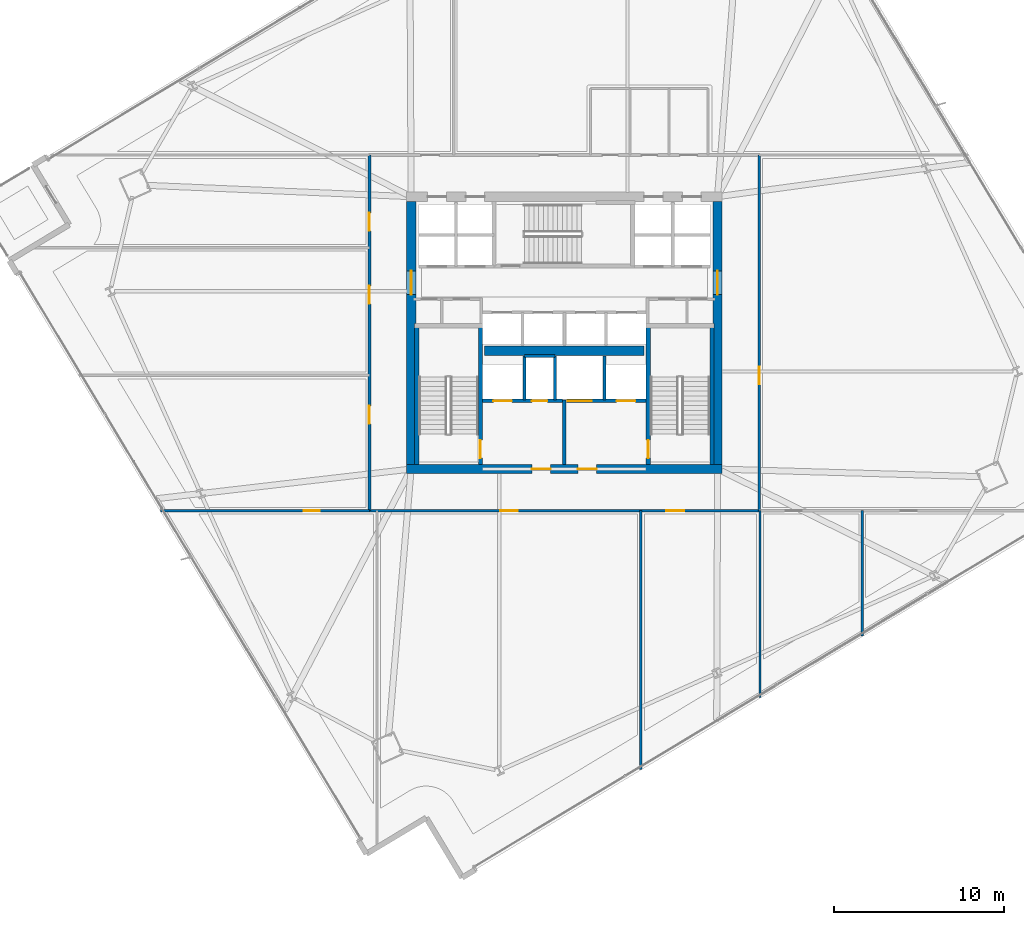
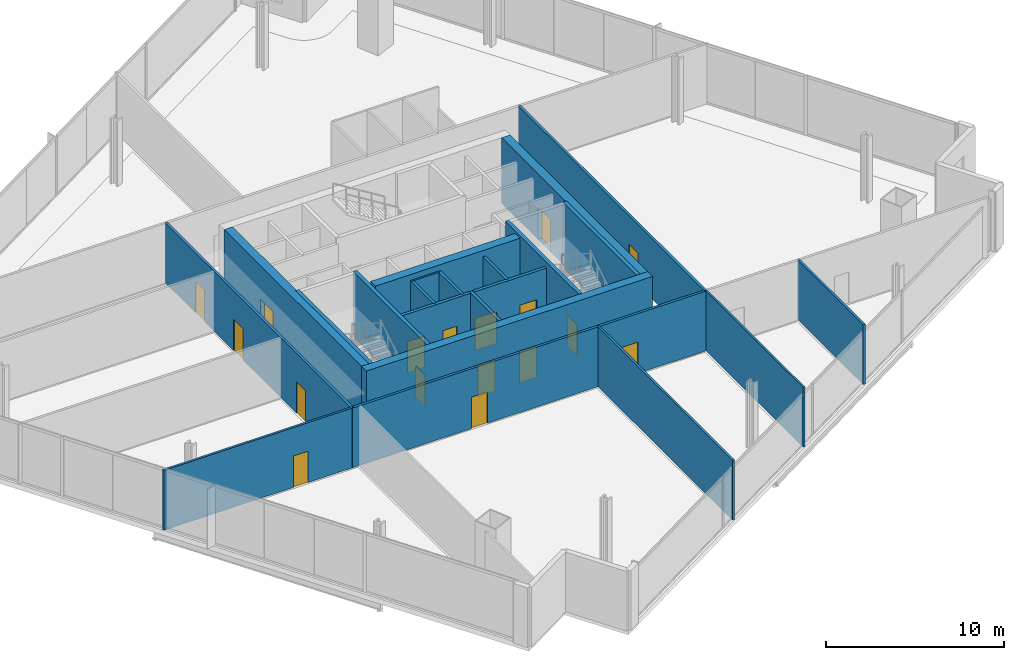
# One storey, part 23 of 30: 22 walls, 17 doors, 17 openings.
"""IFC4 building model written with IfcOpenShell, lengths in metres."""

from ifc_helpers import new_model, si_unit, direction, frame, frame_2d, origin, place, context, subcontext, project, spatial, rectangle, extrude, material, layer, layer_set, type_object, element, fill, save


model = new_model("IFC4")

# Units and contexts
model_context = context("Model", 3, precision=1e-05, world=origin(), true_north=direction((0.0, 1.0)))
body_context = subcontext(model_context, "Body", "Model", "MODEL_VIEW")
ifc_project = project(units=[si_unit("LENGTHUNIT", "METRE"), si_unit("AREAUNIT", "SQUARE_METRE"), si_unit("VOLUMEUNIT", "CUBIC_METRE"), si_unit("PLANEANGLEUNIT", "RADIAN"), si_unit("MASSUNIT", "GRAM", prefix="KILO")], contexts=[model_context])

# Site, building, storey
site_placement = place(None, origin())
site = spatial("IfcSite", under=ifc_project, at=site_placement, CompositionType="ELEMENT")
building_placement = place(site_placement, origin())
building = spatial("IfcBuilding", under=site, at=building_placement, Name="Haldenkirk Collegiate Tower", CompositionType="ELEMENT")
storey_placement = place(building_placement, frame((0.0, 0.0, 131.699951171875)))
storey = spatial("IfcBuildingStorey", under=building, at=storey_placement, Name="L32", CompositionType="ELEMENT", Elevation=131.699951171875)

# Wall, openings, doors
ifc_material_1 = material(Name="Concrete f'c 70 MPa", Category="concrete")
ifc_layer_1 = layer(ifc_material_1, 0.550048828125)
ifc_layer_set_1 = layer_set([ifc_layer_1], Name="Concrete f'c 70 MPa")
wall_type_1 = type_object("IfcWallType", Name="WL-CORE-550", PredefinedType="SHEAR", material=ifc_layer_set_1)
wall_1_placement = place(storey_placement, frame((26.72509765625, 18.0, 0.0), z_axis=(0.0, 0.0, 1.0), x_axis=(1.0, 0.0, 0.0)))
wall_1 = element("IfcWall", 1, at=wall_1_placement, inside=storey, type_object=wall_type_1, Name="L32 central core shear wall S", PredefinedType="SHEAR", context=body_context, shape_type="SweptSolid", body=[
    extrude(rectangle(XDim=18.5498046875, YDim=0.550048828125, at=frame_2d((9.27490234375, 0.0))), origin(), (0.0, 0.0, 1.0), 4.5),
])
opening_1_placement = place(wall_1_placement, frame((7.375, 0.0, 0.0)))
opening_1 = element("IfcOpeningElement", 2, at=opening_1_placement, cuts=wall_1, Name="Opening D-02", PredefinedType="OPENING", context=body_context, shape_type="SweptSolid", body=[
    extrude(rectangle(XDim=1.10009765625, YDim=2.14990234375, at=frame_2d((0.550048828125, 1.074951171875))), frame((0.0, 0.284912109375, 0.0), z_axis=(0.0, -1.0, 0.0), x_axis=(1.0, 0.0, 0.0)), (0.0, 0.0, 1.0), 0.570068359375),
])
opening_2_placement = place(wall_1_placement, frame((10.074951171875, 0.0, 0.0)))
opening_2 = element("IfcOpeningElement", 3, at=opening_2_placement, cuts=wall_1, Name="Opening D-02", PredefinedType="OPENING", context=body_context, shape_type="SweptSolid", body=[
    extrude(rectangle(XDim=1.10009765625, YDim=2.14990234375, at=frame_2d((0.550048828125, 1.074951171875))), frame((0.0, 0.284912109375, 0.0), z_axis=(0.0, -1.0, 0.0), x_axis=(1.0, 0.0, 0.0)), (0.0, 0.0, 1.0), 0.570068359375),
])
ifc_material_2 = material(Name="Galvanized fire-rated hollow steel door", Category="steel")
ifc_layer_2 = layer(ifc_material_2, 0.06005859375)
ifc_layer_set_2 = layer_set([ifc_layer_2], Name="Galvanized fire-rated hollow steel door")
door_type_1 = type_object("IfcDoorType", Name="DR-STAIR-FD90-1100", OperationType="NOTDEFINED", PredefinedType="DOOR", material=ifc_layer_set_2)
door_1_placement = place(opening_1_placement, origin())
door_1 = element("IfcDoor", 4, at=door_1_placement, inside=storey, type_object=door_type_1, Name="L32 Firefighting Lobby 1 door", OperationType="SINGLE_SWING_LEFT", OverallHeight=2.14990234375, OverallWidth=1.10009765625, PredefinedType="DOOR", context=body_context, shape_type="SweptSolid", body=[
    extrude(rectangle(XDim=1.10009765625, YDim=2.14990234375, at=frame_2d((0.550048828125, 1.074951171875))), frame((0.0, 0.02490234375, 0.0), z_axis=(0.0, -1.0, 0.0), x_axis=(1.0, 0.0, 0.0)), (0.0, 0.0, 1.0), 0.050048828125),
])
fill(opening_1, door_1)
door_2_placement = place(opening_2_placement, origin())
door_2 = element("IfcDoor", 5, at=door_2_placement, inside=storey, type_object=door_type_1, Name="L32 Firefighting Lobby 2 door", OperationType="SINGLE_SWING_RIGHT", OverallHeight=2.14990234375, OverallWidth=1.10009765625, PredefinedType="DOOR", context=body_context, shape_type="SweptSolid", body=[
    extrude(rectangle(XDim=1.10009765625, YDim=2.14990234375, at=frame_2d((0.550048828125, 1.074951171875))), frame((0.0, 0.02490234375, 0.0), z_axis=(0.0, -1.0, 0.0), x_axis=(1.0, 0.0, 0.0)), (0.0, 0.0, 1.0), 0.050048828125),
])
fill(opening_2, door_2)

# Wall, opening, door
wall_2_placement = place(storey_placement, frame((27.0, 18.27490234375, 0.0), z_axis=(0.0, 0.0, 1.0), x_axis=(0.0, 1.0, 0.0)))
wall_2 = element("IfcWall", 6, at=wall_2_placement, inside=storey, type_object=wall_type_1, Name="L32 central core shear wall W", PredefinedType="SHEAR", context=body_context, shape_type="SweptSolid", body=[
    extrude(rectangle(XDim=15.4501953125, YDim=0.550048828125, at=frame_2d((7.72509765625, 0.0))), origin(), (0.0, 0.0, 1.0), 4.5),
])
opening_3_placement = place(wall_2_placement, frame((9.965087890625, 0.0, 0.0)))
opening_3 = element("IfcOpeningElement", 7, at=opening_3_placement, cuts=wall_2, Name="Opening D-03", PredefinedType="OPENING", context=body_context, shape_type="SweptSolid", body=[
    extrude(rectangle(XDim=1.39990234375, YDim=2.199951171875, at=frame_2d((0.699951171875, 1.10009765625))), frame((0.0, 0.284912109375, 0.0), z_axis=(0.0, -1.0, 0.0), x_axis=(1.0, 0.0, 0.0)), (0.0, 0.0, 1.0), 0.570068359375),
])
ifc_layer_3 = layer(ifc_material_2, 0.06005859375)
ifc_layer_set_3 = layer_set([ifc_layer_3], Name="Galvanized fire-rated hollow steel door")
door_type_2 = type_object("IfcDoorType", Name="DR-LOBBY-FD90-1400", OperationType="NOTDEFINED", PredefinedType="DOOR", material=ifc_layer_set_3)
door_3_placement = place(opening_3_placement, origin())
door_3 = element("IfcDoor", 8, at=door_3_placement, inside=storey, type_object=door_type_2, Name="L32 west lift lobby portal", OperationType="DOUBLE_DOOR_SINGLE_SWING", OverallHeight=2.199951171875, OverallWidth=1.39990234375, PredefinedType="DOOR", context=body_context, shape_type="SweptSolid", body=[
    extrude(rectangle(XDim=1.39990234375, YDim=2.199951171875, at=frame_2d((0.699951171875, 1.10009765625))), frame((0.0, 0.02490234375, 0.0), z_axis=(0.0, -1.0, 0.0), x_axis=(1.0, 0.0, 0.0)), (0.0, 0.0, 1.0), 0.050048828125),
])
fill(opening_3, door_3)

wall_3_placement = place(storey_placement, frame((45.0, 18.27490234375, 0.0), z_axis=(0.0, 0.0, 1.0), x_axis=(0.0, 1.0, 0.0)))
wall_3 = element("IfcWall", 9, at=wall_3_placement, inside=storey, type_object=wall_type_1, Name="L32 central core shear wall E", PredefinedType="SHEAR", context=body_context, shape_type="SweptSolid", body=[
    extrude(rectangle(XDim=15.4501953125, YDim=0.550048828125, at=frame_2d((7.72509765625, 0.0))), origin(), (0.0, 0.0, 1.0), 4.5),
])
opening_4_placement = place(wall_3_placement, frame((9.965087890625, 0.0, 0.0)))
opening_4 = element("IfcOpeningElement", 10, at=opening_4_placement, cuts=wall_3, Name="Opening D-03", PredefinedType="OPENING", context=body_context, shape_type="SweptSolid", body=[
    extrude(rectangle(XDim=1.39990234375, YDim=2.199951171875, at=frame_2d((0.699951171875, 1.10009765625))), frame((0.0, 0.284912109375, 0.0), z_axis=(0.0, -1.0, 0.0), x_axis=(1.0, 0.0, 0.0)), (0.0, 0.0, 1.0), 0.570068359375),
])
door_4_placement = place(opening_4_placement, origin())
door_4 = element("IfcDoor", 11, at=door_4_placement, inside=storey, type_object=door_type_2, Name="L32 east lift lobby portal", OperationType="DOUBLE_DOOR_SINGLE_SWING", OverallHeight=2.199951171875, OverallWidth=1.39990234375, PredefinedType="DOOR", context=body_context, shape_type="SweptSolid", body=[
    extrude(rectangle(XDim=1.39990234375, YDim=2.199951171875, at=frame_2d((0.699951171875, 1.10009765625))), frame((0.0, 0.02490234375, 0.0), z_axis=(0.0, -1.0, 0.0), x_axis=(1.0, 0.0, 0.0)), (0.0, 0.0, 1.0), 0.050048828125),
])
fill(opening_4, door_4)

# Wall
wall_4_placement = place(storey_placement, frame((31.31005859375, 24.949951171875, 0.0), z_axis=(0.0, 0.0, 1.0), x_axis=(1.0, 0.0, 0.0)))
element("IfcWall", 12, at=wall_4_placement, inside=storey, type_object=wall_type_1, Name="L32 central core spine shear wall", PredefinedType="SHEAR", context=body_context, shape_type="SweptSolid", body=[
    extrude(rectangle(XDim=9.3798828125, YDim=0.550048828125, at=frame_2d((4.68994140625, 0.0))), origin(), (0.0, 0.0, 1.0), 4.5),
])

# Wall, openings, doors
ifc_material_3 = material(Name="Acoustic fire-rated gypsum partition", Category="concrete")
ifc_layer_4 = layer(ifc_material_3, 0.159912109375)
ifc_layer_set_4 = layer_set([ifc_layer_4], Name="Acoustic fire-rated gypsum partition")
wall_type_2 = type_object("IfcWallType", Name="WL-INT-CORR-160", PredefinedType="PARTITIONING", material=ifc_layer_set_4)
wall_5_placement = place(storey_placement, frame((24.5, 15.550048828125, 0.0), z_axis=(0.0, 0.0, 1.0), x_axis=(1.0, 0.0, 0.0)))
wall_5 = element("IfcWall", 13, at=wall_5_placement, inside=storey, type_object=wall_type_2, Name="L32 interior partition IW-L32-CS", PredefinedType="PARTITIONING", context=body_context, shape_type="SweptSolid", body=[
    extrude(rectangle(XDim=23.0, YDim=0.159912109375, at=frame_2d((11.5, 0.0))), origin(), (0.0, 0.0, 1.0), 4.10009765625),
])
opening_5_placement = place(wall_5_placement, frame((7.72509765625, 0.0, 0.0)))
opening_5 = element("IfcOpeningElement", 14, at=opening_5_placement, cuts=wall_5, Name="Opening D-09", PredefinedType="OPENING", context=body_context, shape_type="SweptSolid", body=[
    extrude(rectangle(XDim=1.050048828125, YDim=2.14990234375, at=frame_2d((0.52490234375, 1.074951171875))), frame((0.0, 0.08984375, 0.0), z_axis=(0.0, -1.0, 0.0), x_axis=(1.0, 0.0, 0.0)), (0.0, 0.0, 1.0), 0.179931640625),
])
opening_6_placement = place(wall_5_placement, frame((17.489013671875, 0.0, 0.0)))
opening_6 = element("IfcOpeningElement", 15, at=opening_6_placement, cuts=wall_5, Name="Opening D-09", PredefinedType="OPENING", context=body_context, shape_type="SweptSolid", body=[
    extrude(rectangle(XDim=1.050048828125, YDim=2.14990234375, at=frame_2d((0.52490234375, 1.074951171875))), frame((0.0, 0.08984375, 0.0), z_axis=(0.0, -1.0, 0.0), x_axis=(1.0, 0.0, 0.0)), (0.0, 0.0, 1.0), 0.179931640625),
])
ifc_material_4 = material(Name="Solid-core architectural oak fire door", Category="wood")
ifc_layer_5 = layer(ifc_material_4, 0.06005859375)
ifc_layer_set_5 = layer_set([ifc_layer_5], Name="Solid-core architectural oak fire door")
door_type_3 = type_object("IfcDoorType", Name="DR-INT-FD60-1050", OperationType="NOTDEFINED", PredefinedType="DOOR", material=ifc_layer_set_5)
door_5_placement = place(opening_5_placement, origin())
door_5 = element("IfcDoor", 16, at=door_5_placement, inside=storey, type_object=door_type_3, Name="L32 Research Office 2 door", OperationType="SINGLE_SWING_RIGHT", OverallHeight=2.14990234375, OverallWidth=1.050048828125, PredefinedType="DOOR", context=body_context, shape_type="SweptSolid", body=[
    extrude(rectangle(XDim=1.050048828125, YDim=2.14990234375, at=frame_2d((0.52490234375, 1.074951171875))), frame((0.0, 0.02490234375, 0.0), z_axis=(0.0, -1.0, 0.0), x_axis=(1.0, 0.0, 0.0)), (0.0, 0.0, 1.0), 0.050048828125),
])
fill(opening_5, door_5)
door_6_placement = place(opening_6_placement, origin())
door_6 = element("IfcDoor", 17, at=door_6_placement, inside=storey, type_object=door_type_3, Name="L32 Senior Fellow Office 3 door", OperationType="SINGLE_SWING_LEFT", OverallHeight=2.14990234375, OverallWidth=1.050048828125, PredefinedType="DOOR", context=body_context, shape_type="SweptSolid", body=[
    extrude(rectangle(XDim=1.050048828125, YDim=2.14990234375, at=frame_2d((0.52490234375, 1.074951171875))), frame((0.0, 0.02490234375, 0.0), z_axis=(0.0, -1.0, 0.0), x_axis=(1.0, 0.0, 0.0)), (0.0, 0.0, 1.0), 0.050048828125),
])
fill(opening_6, door_6)

wall_6_placement = place(storey_placement, frame((24.550048828125, 15.550048828125, 0.0), z_axis=(0.0, 0.0, 1.0), x_axis=(0.0, 1.0, 0.0)))
wall_6 = element("IfcWall", 18, at=wall_6_placement, inside=storey, type_object=wall_type_2, Name="L32 interior partition IW-L32-CW", PredefinedType="PARTITIONING", context=body_context, shape_type="SweptSolid", body=[
    extrude(rectangle(XDim=20.89990234375, YDim=0.159912109375, at=frame_2d((10.449951171875, 0.0))), origin(), (0.0, 0.0, 1.0), 4.10009765625),
])
opening_7_placement = place(wall_6_placement, frame((5.10693359375, 0.0, 0.0)))
opening_7 = element("IfcOpeningElement", 19, at=opening_7_placement, cuts=wall_6, Name="Opening D-09", PredefinedType="OPENING", context=body_context, shape_type="SweptSolid", body=[
    extrude(rectangle(XDim=1.050048828125, YDim=2.14990234375, at=frame_2d((0.52490234375, 1.074951171875))), frame((0.0, 0.08984375, 0.0), z_axis=(0.0, -1.0, 0.0), x_axis=(1.0, 0.0, 0.0)), (0.0, 0.0, 1.0), 0.179931640625),
])
opening_8_placement = place(wall_6_placement, frame((12.155029296875, 0.0, 0.0)))
opening_8 = element("IfcOpeningElement", 20, at=opening_8_placement, cuts=wall_6, Name="Opening D-09", PredefinedType="OPENING", context=body_context, shape_type="SweptSolid", body=[
    extrude(rectangle(XDim=1.050048828125, YDim=2.14990234375, at=frame_2d((0.52490234375, 1.074951171875))), frame((0.0, 0.08984375, 0.0), z_axis=(0.0, -1.0, 0.0), x_axis=(1.0, 0.0, 0.0)), (0.0, 0.0, 1.0), 0.179931640625),
])
opening_9_placement = place(wall_6_placement, frame((16.443115234375, 0.0, 0.0)))
opening_9 = element("IfcOpeningElement", 21, at=opening_9_placement, cuts=wall_6, Name="Opening D-09", PredefinedType="OPENING", context=body_context, shape_type="SweptSolid", body=[
    extrude(rectangle(XDim=1.050048828125, YDim=2.14990234375, at=frame_2d((0.52490234375, 1.074951171875))), frame((0.0, 0.08984375, 0.0), z_axis=(0.0, -1.0, 0.0), x_axis=(1.0, 0.0, 0.0)), (0.0, 0.0, 1.0), 0.179931640625),
])
door_7_placement = place(opening_7_placement, origin())
door_7 = element("IfcDoor", 22, at=door_7_placement, inside=storey, type_object=door_type_3, Name="L32 Research Office 8 door", OperationType="SINGLE_SWING_RIGHT", OverallHeight=2.14990234375, OverallWidth=1.050048828125, PredefinedType="DOOR", context=body_context, shape_type="SweptSolid", body=[
    extrude(rectangle(XDim=1.050048828125, YDim=2.14990234375, at=frame_2d((0.52490234375, 1.074951171875))), frame((0.0, 0.02490234375, 0.0), z_axis=(0.0, -1.0, 0.0), x_axis=(1.0, 0.0, 0.0)), (0.0, 0.0, 1.0), 0.050048828125),
])
fill(opening_7, door_7)
door_8_placement = place(opening_8_placement, origin())
door_8 = element("IfcDoor", 23, at=door_8_placement, inside=storey, type_object=door_type_3, Name="L32 Senior Fellow Office 9 door", OperationType="SINGLE_SWING_LEFT", OverallHeight=2.14990234375, OverallWidth=1.050048828125, PredefinedType="DOOR", context=body_context, shape_type="SweptSolid", body=[
    extrude(rectangle(XDim=1.050048828125, YDim=2.14990234375, at=frame_2d((0.52490234375, 1.074951171875))), frame((0.0, 0.02490234375, 0.0), z_axis=(0.0, -1.0, 0.0), x_axis=(1.0, 0.0, 0.0)), (0.0, 0.0, 1.0), 0.050048828125),
])
fill(opening_8, door_8)
door_9_placement = place(opening_9_placement, origin())
door_9 = element("IfcDoor", 24, at=door_9_placement, inside=storey, type_object=door_type_3, Name="L32 Graduate Seminar Room 10 door", OperationType="SINGLE_SWING_RIGHT", OverallHeight=2.14990234375, OverallWidth=1.050048828125, PredefinedType="DOOR", context=body_context, shape_type="SweptSolid", body=[
    extrude(rectangle(XDim=1.050048828125, YDim=2.14990234375, at=frame_2d((0.52490234375, 1.074951171875))), frame((0.0, 0.02490234375, 0.0), z_axis=(0.0, -1.0, 0.0), x_axis=(1.0, 0.0, 0.0)), (0.0, 0.0, 1.0), 0.050048828125),
])
fill(opening_9, door_9)

# Wall, opening, door
wall_7_placement = place(storey_placement, frame((47.449951171875, 15.550048828125, 0.0), z_axis=(0.0, 0.0, 1.0), x_axis=(0.0, 1.0, 0.0)))
wall_7 = element("IfcWall", 25, at=wall_7_placement, inside=storey, type_object=wall_type_2, Name="L32 interior partition IW-L32-CE", PredefinedType="PARTITIONING", context=body_context, shape_type="SweptSolid", body=[
    extrude(rectangle(XDim=20.89990234375, YDim=0.159912109375, at=frame_2d((10.449951171875, 0.0))), origin(), (0.0, 0.0, 1.0), 4.10009765625),
])
opening_10_placement = place(wall_7_placement, frame((7.4169921875, 0.0, 0.0)))
opening_10 = element("IfcOpeningElement", 26, at=opening_10_placement, cuts=wall_7, Name="Opening D-09", PredefinedType="OPENING", context=body_context, shape_type="SweptSolid", body=[
    extrude(rectangle(XDim=1.050048828125, YDim=2.14990234375, at=frame_2d((0.52490234375, 1.074951171875))), frame((0.0, 0.08984375, 0.0), z_axis=(0.0, -1.0, 0.0), x_axis=(1.0, 0.0, 0.0)), (0.0, 0.0, 1.0), 0.179931640625),
])
door_10_placement = place(opening_10_placement, origin())
door_10 = element("IfcDoor", 27, at=door_10_placement, inside=storey, type_object=door_type_3, Name="L32 Colloquium Conference Room 11 door", OperationType="SINGLE_SWING_LEFT", OverallHeight=2.14990234375, OverallWidth=1.050048828125, PredefinedType="DOOR", context=body_context, shape_type="SweptSolid", body=[
    extrude(rectangle(XDim=1.050048828125, YDim=2.14990234375, at=frame_2d((0.52490234375, 1.074951171875))), frame((0.0, 0.02490234375, 0.0), z_axis=(0.0, -1.0, 0.0), x_axis=(1.0, 0.0, 0.0)), (0.0, 0.0, 1.0), 0.050048828125),
])
fill(opening_10, door_10)

ifc_layer_6 = layer(ifc_material_3, 0.139892578125)
ifc_layer_set_6 = layer_set([ifc_layer_6], Name="Acoustic fire-rated gypsum partition")
wall_type_3 = type_object("IfcWallType", Name="WL-INT-DIV-140", PredefinedType="PARTITIONING", material=ifc_layer_set_6)
wall_8_placement = place(storey_placement, frame((12.281494140625, 15.550048828125, 0.0), z_axis=(0.0, 0.0, 1.0), x_axis=(1.0, 0.0, 0.0)))
wall_8 = element("IfcWall", 28, at=wall_8_placement, inside=storey, type_object=wall_type_3, Name="L32 interior partition IW-L32-BWS", PredefinedType="PARTITIONING", context=body_context, shape_type="SweptSolid", body=[
    extrude(rectangle(XDim=12.2685546875, YDim=0.139892578125, at=frame_2d((6.13427734375, 0.0))), origin(), (0.0, 0.0, 1.0), 4.10009765625),
])
opening_11_placement = place(wall_8_placement, frame((8.41259765625, 0.0, 0.0)))
opening_11 = element("IfcOpeningElement", 29, at=opening_11_placement, cuts=wall_8, Name="Opening D-12", PredefinedType="OPENING", context=body_context, shape_type="SweptSolid", body=[
    extrude(rectangle(XDim=0.949951171875, YDim=2.14990234375, at=frame_2d((0.47509765625, 1.074951171875))), frame((0.0, 0.079833984375, 0.0), z_axis=(0.0, -1.0, 0.0), x_axis=(1.0, 0.0, 0.0)), (0.0, 0.0, 1.0), 0.159912109375),
])
ifc_layer_7 = layer(ifc_material_4, 0.06005859375)
ifc_layer_set_7 = layer_set([ifc_layer_7], Name="Solid-core architectural oak fire door")
door_type_4 = type_object("IfcDoorType", Name="DR-INT-STD-950", OperationType="NOTDEFINED", PredefinedType="DOOR", material=ifc_layer_set_7)
door_11_placement = place(opening_11_placement, origin())
door_11 = element("IfcDoor", 30, at=door_11_placement, inside=storey, type_object=door_type_4, Name="L32 Collegiate Commons Assembly Hall door", OperationType="SINGLE_SWING_LEFT", OverallHeight=2.14990234375, OverallWidth=0.949951171875, PredefinedType="DOOR", context=body_context, shape_type="SweptSolid", body=[
    extrude(rectangle(XDim=0.949951171875, YDim=2.14990234375, at=frame_2d((0.47509765625, 1.074951171875))), frame((0.0, 0.02490234375, 0.0), z_axis=(0.0, -1.0, 0.0), x_axis=(1.0, 0.0, 0.0)), (0.0, 0.0, 1.0), 0.050048828125),
])
fill(opening_11, door_11)

# Walls
wall_9_placement = place(storey_placement, frame((40.5, 0.36279296875, 0.0), z_axis=(0.0, 0.0, 1.0), x_axis=(0.0, 1.0, 0.0)))
element("IfcWall", 31, at=wall_9_placement, inside=storey, type_object=wall_type_3, Name="L32 interior partition IW-L32-RS2", PredefinedType="PARTITIONING", context=body_context, shape_type="SweptSolid", body=[
    extrude(rectangle(XDim=15.187255859375, YDim=0.139892578125, at=frame_2d((7.59375, 0.0))), origin(), (0.0, 0.0, 1.0), 4.10009765625),
])
wall_10_placement = place(storey_placement, frame((53.5, 8.189208984375, 0.0), z_axis=(0.0, 0.0, 1.0), x_axis=(0.0, 1.0, 0.0)))
element("IfcWall", 32, at=wall_10_placement, inside=storey, type_object=wall_type_3, Name="L32 interior partition IW-L32-RS4", PredefinedType="PARTITIONING", context=body_context, shape_type="SweptSolid", body=[
    extrude(rectangle(XDim=7.36083984375, YDim=0.139892578125, at=frame_2d((3.680419921875, 0.0))), origin(), (0.0, 0.0, 1.0), 4.10009765625),
])
ifc_material_5 = material(Name="Fire-rated gypsum shaftboard assembly", Category="concrete")
ifc_layer_8 = layer(ifc_material_5, 0.179931640625)
ifc_layer_set_8 = layer_set([ifc_layer_8], Name="Fire-rated gypsum shaftboard assembly")
wall_type_4 = type_object("IfcWallType", Name="WL-INT-SHAFT-180", PredefinedType="PARTITIONING", material=ifc_layer_set_8)
for number, where, z_axis, x_axis, name in (
    (33, (33.64990234375, 22.050048828125, 0.0), (0.0, 0.0, 1.0), (0.0, 1.0, 0.0), "L32 interior partition IW-L32-FL1E"),
    (34, (35.449951171875, 22.050048828125, 0.0), (0.0, 0.0, 1.0), (0.0, 1.0, 0.0), "L32 interior partition IW-L32-GL1W"),
):
    element("IfcWall", number, at=place(storey_placement, frame(where, z_axis=z_axis, x_axis=x_axis)), inside=storey, type_object=wall_type_4, Name=name, PredefinedType="PARTITIONING", context=body_context, shape_type="SweptSolid", body=[
        extrude(rectangle(XDim=2.599853515625, YDim=0.179931640625, at=frame_2d((1.2998046875, 0.0))), origin(), (0.0, 0.0, 1.0), 4.10009765625),
    ])
wall_11_placement = place(storey_placement, frame((33.64990234375, 24.64990234375, 0.0), z_axis=(0.0, 0.0, 1.0), x_axis=(1.0, 0.0, 0.0)))
element("IfcWall", 35, at=wall_11_placement, inside=storey, type_object=wall_type_4, Name="L32 interior partition IW-L32-RSRN", PredefinedType="PARTITIONING", context=body_context, shape_type="SweptSolid", body=[
    extrude(rectangle(XDim=1.800048828125, YDim=0.179931640625, at=frame_2d((0.89990234375, 0.0))), origin(), (0.0, 0.0, 1.0), 4.10009765625),
])
wall_12_placement = place(storey_placement, frame((38.35009765625, 22.050048828125, 0.0), z_axis=(0.0, 0.0, 1.0), x_axis=(0.0, 1.0, 0.0)))
element("IfcWall", 36, at=wall_12_placement, inside=storey, type_object=wall_type_4, Name="L32 interior partition IW-L32-GL1E", PredefinedType="PARTITIONING", context=body_context, shape_type="SweptSolid", body=[
    extrude(rectangle(XDim=2.599853515625, YDim=0.179931640625, at=frame_2d((1.2998046875, 0.0))), origin(), (0.0, 0.0, 1.0), 4.10009765625),
])
ifc_layer_9 = layer(ifc_material_5, 0.199951171875)
ifc_layer_set_9 = layer_set([ifc_layer_9], Name="Fire-rated gypsum shaftboard assembly")
wall_type_5 = type_object("IfcWallType", Name="WL-INT-SHAFT-200", PredefinedType="PARTITIONING", material=ifc_layer_set_9)
wall_13_placement = place(storey_placement, frame((36.0, 18.280029296875, 0.0), z_axis=(0.0, 0.0, 1.0), x_axis=(0.0, 1.0, 0.0)))
element("IfcWall", 37, at=wall_13_placement, inside=storey, type_object=wall_type_5, Name="L32 interior partition IW-L32-FFLM", PredefinedType="PARTITIONING", context=body_context, shape_type="SweptSolid", body=[
    extrude(rectangle(XDim=3.77001953125, YDim=0.199951171875, at=frame_2d((1.885009765625, 0.0))), origin(), (0.0, 0.0, 1.0), 4.10009765625),
])

# Wall, openings, doors
wall_14_placement = place(storey_placement, frame((31.18994140625, 22.0, 0.0), z_axis=(0.0, 0.0, 1.0), x_axis=(1.0, 0.0, 0.0)))
wall_14 = element("IfcWall", 38, at=wall_14_placement, inside=storey, type_object=wall_type_5, Name="L32 interior partition IW-L32-FFL1N", PredefinedType="PARTITIONING", context=body_context, shape_type="SweptSolid", body=[
    extrude(rectangle(XDim=4.68994140625, YDim=0.199951171875, at=frame_2d((2.344970703125, 0.0))), origin(), (0.0, 0.0, 1.0), 4.10009765625),
])
opening_12_placement = place(wall_14_placement, frame((2.909912109375, 0.0, 0.0)))
opening_12 = element("IfcOpeningElement", 39, at=opening_12_placement, cuts=wall_14, Name="Opening D-06", PredefinedType="OPENING", context=body_context, shape_type="SweptSolid", body=[
    extrude(rectangle(XDim=0.89990234375, YDim=2.14990234375, at=frame_2d((0.449951171875, 1.074951171875))), frame((0.0, 0.10986328125, 0.0), z_axis=(0.0, -1.0, 0.0), x_axis=(1.0, 0.0, 0.0)), (0.0, 0.0, 1.0), 0.219970703125),
])
opening_13_placement = place(wall_14_placement, frame((0.635009765625, 0.0, 0.0)))
opening_13 = element("IfcOpeningElement", 40, at=opening_13_placement, cuts=wall_14, Name="Opening LD-12", PredefinedType="OPENING", context=body_context, shape_type="SweptSolid", body=[
    extrude(rectangle(XDim=1.10009765625, YDim=2.14990234375, at=frame_2d((0.550048828125, 1.074951171875))), frame((0.0, 0.10986328125, 0.0), z_axis=(0.0, -1.0, 0.0), x_axis=(1.0, 0.0, 0.0)), (0.0, 0.0, 1.0), 0.219970703125),
])
ifc_layer_10 = layer(ifc_material_2, 0.06005859375)
ifc_layer_set_10 = layer_set([ifc_layer_10], Name="Galvanized fire-rated hollow steel door")
door_type_5 = type_object("IfcDoorType", Name="DR-INT-FD90-900", OperationType="NOTDEFINED", PredefinedType="DOOR", material=ifc_layer_set_10)
door_12_placement = place(opening_12_placement, origin())
door_12 = element("IfcDoor", 41, at=door_12_placement, inside=storey, type_object=door_type_5, Name="L32 electrical riser door", OperationType="SINGLE_SWING_LEFT", OverallHeight=2.14990234375, OverallWidth=0.89990234375, PredefinedType="DOOR", context=body_context, shape_type="SweptSolid", body=[
    extrude(rectangle(XDim=0.89990234375, YDim=2.14990234375, at=frame_2d((0.449951171875, 1.074951171875))), frame((0.0, 0.02490234375, 0.0), z_axis=(0.0, -1.0, 0.0), x_axis=(1.0, 0.0, 0.0)), (0.0, 0.0, 1.0), 0.050048828125),
])
fill(opening_12, door_12)
ifc_material_6 = material(Name="Brushed architectural stainless steel", Category="steel")
ifc_layer_11 = layer(ifc_material_6, 0.06005859375)
ifc_layer_set_11 = layer_set([ifc_layer_11], Name="Brushed architectural stainless steel")
door_type_6 = type_object("IfcDoorType", Name="LD-FIRE-1100", OperationType="NOTDEFINED", PredefinedType="DOOR", material=ifc_layer_set_11)
door_13_placement = place(opening_13_placement, origin())
door_13 = element("IfcDoor", 42, at=door_13_placement, inside=storey, type_object=door_type_6, Name="L32 Elevator FL1 sliding landing door", OperationType="SLIDING_TO_LEFT", OverallHeight=2.14990234375, OverallWidth=1.10009765625, PredefinedType="DOOR", context=body_context, shape_type="SweptSolid", body=[
    extrude(rectangle(XDim=1.10009765625, YDim=2.14990234375, at=frame_2d((0.550048828125, 1.074951171875))), frame((0.0, 0.02490234375, 0.0), z_axis=(0.0, -1.0, 0.0), x_axis=(1.0, 0.0, 0.0)), (0.0, 0.0, 1.0), 0.050048828125),
])
fill(opening_13, door_13)

wall_15_placement = place(storey_placement, frame((36.1201171875, 22.0, 0.0), z_axis=(0.0, 0.0, 1.0), x_axis=(1.0, 0.0, 0.0)))
wall_15 = element("IfcWall", 43, at=wall_15_placement, inside=storey, type_object=wall_type_5, Name="L32 interior partition IW-L32-FFL2N", PredefinedType="PARTITIONING", context=body_context, shape_type="SweptSolid", body=[
    extrude(rectangle(XDim=4.68994140625, YDim=0.199951171875, at=frame_2d((2.344970703125, 0.0))), origin(), (0.0, 0.0, 1.0), 4.10009765625),
])
opening_14_placement = place(wall_15_placement, frame((2.955078125, 0.0, 0.0)))
opening_14 = element("IfcOpeningElement", 44, at=opening_14_placement, cuts=wall_15, Name="Opening LD-12", PredefinedType="OPENING", context=body_context, shape_type="SweptSolid", body=[
    extrude(rectangle(XDim=1.10009765625, YDim=2.14990234375, at=frame_2d((0.550048828125, 1.074951171875))), frame((0.0, 0.10986328125, 0.0), z_axis=(0.0, -1.0, 0.0), x_axis=(1.0, 0.0, 0.0)), (0.0, 0.0, 1.0), 0.219970703125),
])
opening_15_placement = place(wall_15_placement, frame((0.080078125, 0.0, 0.0)))
opening_15 = element("IfcOpeningElement", 45, at=opening_15_placement, cuts=wall_15, Name="Opening LD-13", PredefinedType="OPENING", context=body_context, shape_type="SweptSolid", body=[
    extrude(rectangle(XDim=1.39990234375, YDim=2.199951171875, at=frame_2d((0.699951171875, 1.10009765625))), frame((0.0, 0.10986328125, 0.0), z_axis=(0.0, -1.0, 0.0), x_axis=(1.0, 0.0, 0.0)), (0.0, 0.0, 1.0), 0.219970703125),
])
door_14_placement = place(opening_14_placement, origin())
door_14 = element("IfcDoor", 46, at=door_14_placement, inside=storey, type_object=door_type_6, Name="L32 Elevator FL2 sliding landing door", OperationType="SLIDING_TO_LEFT", OverallHeight=2.14990234375, OverallWidth=1.10009765625, PredefinedType="DOOR", context=body_context, shape_type="SweptSolid", body=[
    extrude(rectangle(XDim=1.10009765625, YDim=2.14990234375, at=frame_2d((0.550048828125, 1.074951171875))), frame((0.0, 0.02490234375, 0.0), z_axis=(0.0, -1.0, 0.0), x_axis=(1.0, 0.0, 0.0)), (0.0, 0.0, 1.0), 0.050048828125),
])
fill(opening_14, door_14)
ifc_layer_12 = layer(ifc_material_6, 0.06005859375)
ifc_layer_set_12 = layer_set([ifc_layer_12], Name="Brushed architectural stainless steel")
door_type_7 = type_object("IfcDoorType", Name="LD-GOODS-1400", OperationType="NOTDEFINED", PredefinedType="DOOR", material=ifc_layer_set_12)
door_15_placement = place(opening_15_placement, origin())
door_15 = element("IfcDoor", 47, at=door_15_placement, inside=storey, type_object=door_type_7, Name="L32 Elevator GL1 sliding landing door", OperationType="SLIDING_TO_LEFT", OverallHeight=2.199951171875, OverallWidth=1.39990234375, PredefinedType="DOOR", context=body_context, shape_type="SweptSolid", body=[
    extrude(rectangle(XDim=1.39990234375, YDim=2.199951171875, at=frame_2d((0.699951171875, 1.10009765625))), frame((0.0, 0.02490234375, 0.0), z_axis=(0.0, -1.0, 0.0), x_axis=(1.0, 0.0, 0.0)), (0.0, 0.0, 1.0), 0.050048828125),
])
fill(opening_15, door_15)

# Wall
ifc_layer_13 = layer(ifc_material_3, 0.1201171875)
ifc_layer_set_13 = layer_set([ifc_layer_13], Name="Acoustic fire-rated gypsum partition")
wall_type_6 = type_object("IfcWallType", Name="WL-INT-WET-120", PredefinedType="PARTITIONING", material=ifc_layer_set_13)
wall_16_placement = place(storey_placement, frame((47.5, 4.576904296875, 0.0), z_axis=(0.0, 0.0, 1.0), x_axis=(0.0, 1.0, 0.0)))
element("IfcWall", 48, at=wall_16_placement, inside=storey, type_object=wall_type_6, Name="L32 interior partition IW-L32-RS3", PredefinedType="PARTITIONING", context=body_context, shape_type="SweptSolid", body=[
    extrude(rectangle(XDim=10.97314453125, YDim=0.1201171875, at=frame_2d((5.486572265625, 0.0))), origin(), (0.0, 0.0, 1.0), 4.10009765625),
])

# Wall, opening, door
ifc_material_7 = material(Name="Concrete f'c 55 MPa", Category="concrete")
ifc_layer_14 = layer(ifc_material_7, 0.239990234375)
ifc_layer_set_14 = layer_set([ifc_layer_14], Name="Concrete f'c 55 MPa")
wall_type_7 = type_object("IfcWallType", Name="WL-SHAFT-240", PredefinedType="SHEAR", material=ifc_layer_set_14)
wall_17_placement = place(storey_placement, frame((31.070068359375, 18.280029296875, 0.0), z_axis=(0.0, 0.0, 1.0), x_axis=(0.0, 1.0, 0.0)))
wall_17 = element("IfcWall", 49, at=wall_17_placement, inside=storey, type_object=wall_type_7, Name="L32 stair shaft shear wall SW-L32-ST1E", PredefinedType="SHEAR", context=body_context, shape_type="SweptSolid", body=[
    extrude(rectangle(XDim=8.260009765625, YDim=0.239990234375, at=frame_2d((4.1298828125, 0.0))), origin(), (0.0, 0.0, 1.0), 4.5),
])
opening_16_placement = place(wall_17_placement, frame((0.364990234375, 0.0, 0.0)))
opening_16 = element("IfcOpeningElement", 50, at=opening_16_placement, cuts=wall_17, Name="Opening D-01", PredefinedType="OPENING", context=body_context, shape_type="SweptSolid", body=[
    extrude(rectangle(XDim=1.050048828125, YDim=2.14990234375, at=frame_2d((0.52490234375, 1.074951171875))), frame((0.0, 0.1298828125, 0.0), z_axis=(0.0, -1.0, 0.0), x_axis=(1.0, 0.0, 0.0)), (0.0, 0.0, 1.0), 0.260009765625),
])
ifc_layer_15 = layer(ifc_material_2, 0.06005859375)
ifc_layer_set_15 = layer_set([ifc_layer_15], Name="Galvanized fire-rated hollow steel door")
door_type_8 = type_object("IfcDoorType", Name="DR-STAIR-FD90-1050", OperationType="NOTDEFINED", PredefinedType="DOOR", material=ifc_layer_set_15)
door_16_placement = place(opening_16_placement, origin())
door_16 = element("IfcDoor", 51, at=door_16_placement, inside=storey, type_object=door_type_8, Name="L32 Stair 1 door", OperationType="SINGLE_SWING_LEFT", OverallHeight=2.14990234375, OverallWidth=1.050048828125, PredefinedType="DOOR", context=body_context, shape_type="SweptSolid", body=[
    extrude(rectangle(XDim=1.050048828125, YDim=2.14990234375, at=frame_2d((0.52490234375, 1.074951171875))), frame((0.0, 0.02490234375, 0.0), z_axis=(0.0, -1.0, 0.0), x_axis=(1.0, 0.0, 0.0)), (0.0, 0.0, 1.0), 0.050048828125),
])
fill(opening_16, door_16)

# Wall
wall_18_placement = place(storey_placement, frame((27.330078125, 18.280029296875, 0.0), z_axis=(0.0, 0.0, 1.0), x_axis=(0.0, 1.0, 0.0)))
element("IfcWall", 52, at=wall_18_placement, inside=storey, type_object=wall_type_7, Name="L32 stair shaft shear wall SW-L32-ST1W", PredefinedType="SHEAR", context=body_context, shape_type="SweptSolid", body=[
    extrude(rectangle(XDim=8.260009765625, YDim=0.239990234375, at=frame_2d((4.1298828125, 0.0))), origin(), (0.0, 0.0, 1.0), 4.5),
])

# Wall, opening, door
wall_19_placement = place(storey_placement, frame((40.929931640625, 18.280029296875, 0.0), z_axis=(0.0, 0.0, 1.0), x_axis=(0.0, 1.0, 0.0)))
wall_19 = element("IfcWall", 53, at=wall_19_placement, inside=storey, type_object=wall_type_7, Name="L32 stair shaft shear wall SW-L32-ST2W", PredefinedType="SHEAR", context=body_context, shape_type="SweptSolid", body=[
    extrude(rectangle(XDim=8.260009765625, YDim=0.239990234375, at=frame_2d((4.1298828125, 0.0))), origin(), (0.0, 0.0, 1.0), 4.5),
])
opening_17_placement = place(wall_19_placement, frame((0.364990234375, 0.0, 0.0)))
opening_17 = element("IfcOpeningElement", 54, at=opening_17_placement, cuts=wall_19, Name="Opening D-01", PredefinedType="OPENING", context=body_context, shape_type="SweptSolid", body=[
    extrude(rectangle(XDim=1.050048828125, YDim=2.14990234375, at=frame_2d((0.52490234375, 1.074951171875))), frame((0.0, 0.1298828125, 0.0), z_axis=(0.0, -1.0, 0.0), x_axis=(1.0, 0.0, 0.0)), (0.0, 0.0, 1.0), 0.260009765625),
])
door_17_placement = place(opening_17_placement, origin())
door_17 = element("IfcDoor", 55, at=door_17_placement, inside=storey, type_object=door_type_8, Name="L32 Stair 2 door", OperationType="SINGLE_SWING_RIGHT", OverallHeight=2.14990234375, OverallWidth=1.050048828125, PredefinedType="DOOR", context=body_context, shape_type="SweptSolid", body=[
    extrude(rectangle(XDim=1.050048828125, YDim=2.14990234375, at=frame_2d((0.52490234375, 1.074951171875))), frame((0.0, 0.02490234375, 0.0), z_axis=(0.0, -1.0, 0.0), x_axis=(1.0, 0.0, 0.0)), (0.0, 0.0, 1.0), 0.050048828125),
])
fill(opening_17, door_17)

# Wall
wall_20_placement = place(storey_placement, frame((44.669921875, 18.280029296875, 0.0), z_axis=(0.0, 0.0, 1.0), x_axis=(0.0, 1.0, 0.0)))
element("IfcWall", 56, at=wall_20_placement, inside=storey, type_object=wall_type_7, Name="L32 stair shaft shear wall SW-L32-ST2E", PredefinedType="SHEAR", context=body_context, shape_type="SweptSolid", body=[
    extrude(rectangle(XDim=8.260009765625, YDim=0.239990234375, at=frame_2d((4.1298828125, 0.0))), origin(), (0.0, 0.0, 1.0), 4.5),
])

save(model, "model.ifc")
